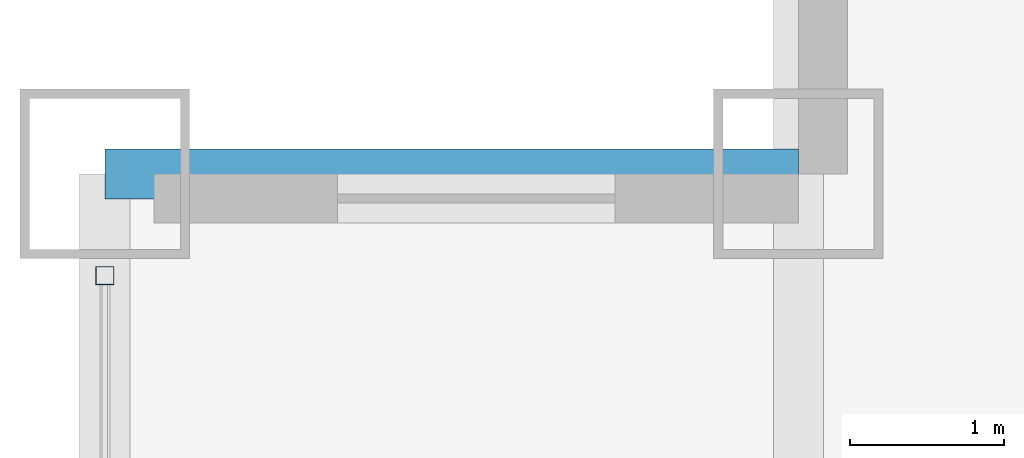
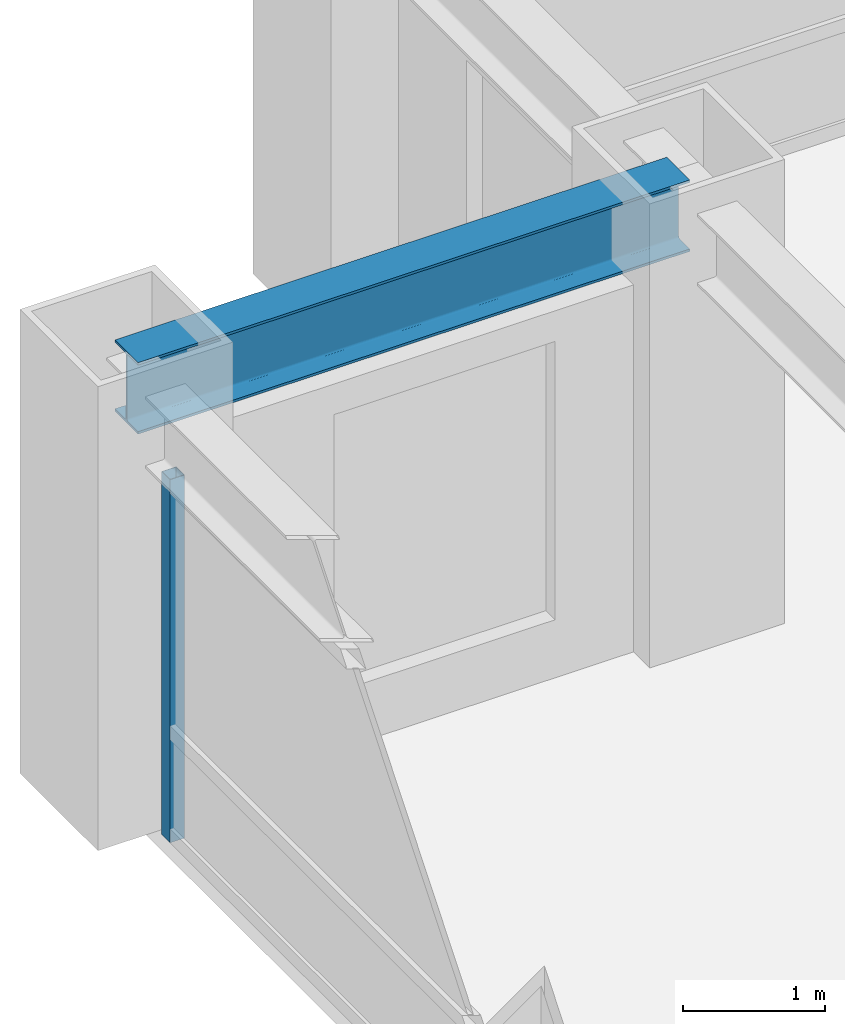
# One storey, part 12 of 25: 1 beam, 1 member, 1 element without a shape of its own.
"""IFC4 building model written with IfcOpenShell, lengths in metres."""

from ifc_helpers import new_model, si_unit, direction, frame, origin, origin_2d, place, context, subcontext, project, spatial, hollow_rectangle, i_section, extrude, source, transform, mapped, material, material_profile, profile_set, type_object, element, aggregate, save


model = new_model("IFC4")

# Units and contexts
model_context = context("Model", 3, precision=1e-05, world=origin(), true_north=direction((0.0, 1.0)))
body_context = subcontext(model_context, "Body", "Model", "MODEL_VIEW")
ifc_project = project(units=[si_unit("LENGTHUNIT", "METRE"), si_unit("AREAUNIT", "SQUARE_METRE"), si_unit("VOLUMEUNIT", "CUBIC_METRE"), si_unit("PLANEANGLEUNIT", "RADIAN"), si_unit("MASSUNIT", "GRAM", prefix="KILO")], contexts=[model_context])

# Site, building, storey
site_placement = place(None, origin())
site = spatial("IfcSite", under=ifc_project, at=site_placement, CompositionType="ELEMENT")
building_placement = place(site_placement, origin())
building = spatial("IfcBuilding", under=site, at=building_placement, Name="Khorayat Bourse Tower", CompositionType="ELEMENT")
storey_placement = place(building_placement, frame((0.0, 0.0, 195.10009765625)))
storey = spatial("IfcBuildingStorey", under=building, at=storey_placement, Name="L45", CompositionType="ELEMENT", Elevation=195.10009765625)

# Beam
ifc_material_1 = material(Name="Steel ASTM A992 Grade 50", Category="steel")
ifc_material_profile_1 = material_profile(ifc_material_1, i_section(OverallWidth=0.324951171875, OverallDepth=0.615966796875, WebThickness=0.013916015625, FlangeThickness=0.021484375, FilletRadius=0.01611328125, at=origin_2d()), Name="W610X174")
ifc_profile_set_1 = profile_set([ifc_material_profile_1], Name="Steel ASTM A992 Grade 50")
beam_type = type_object("IfcBeamType", Name="BM-SPAN-610", PredefinedType="SPANDREL", material=ifc_profile_set_1)
shared_shape_1 = source(origin(), body_context, "Body", "SweptSolid", [
    extrude(i_section(OverallWidth=0.324951171875, OverallDepth=0.615966796875, WebThickness=0.013916015625, FlangeThickness=0.021484375, FilletRadius=0.01611328125, at=origin_2d()), origin(), (0.0, 0.0, 1.0), 4.5),
])
beam_placement = place(storey_placement, frame((-30.0, 25.5, 3.471923828125), z_axis=(1.0, 0.0, 0.0), x_axis=(0.0, 1.0, 0.0)))
element("IfcBeam", 1, at=beam_placement, inside=storey, type_object=beam_type, Name="L45 BM-SPAN-610 BM-L45-SPN-053", PredefinedType="SPANDREL", context=body_context, shape_type="MappedRepresentation", body=[
    mapped(shared_shape_1, transform((0.0, 0.0, 0.0), scale=1.0)),
])

# Curtain wall, member
ifc_material_2 = material(Name="Aluminium EN AW-6063 T6", Category="aluminium")
curtain_wall_type = type_object("IfcCurtainWallType", Name="CW-SYS-03", PredefinedType="NOTDEFINED", material=ifc_material_2)
curtain_wall_placement = place(storey_placement, origin())
curtain_wall = element("IfcCurtainWall", 2, at=curtain_wall_placement, inside=storey, type_object=curtain_wall_type, Name="L45 Curtain Wall CW-L45-W1", PredefinedType="NOTDEFINED")
ifc_material_profile_2 = material_profile(ifc_material_2, hollow_rectangle(XDim=0.1201171875, YDim=0.1201171875, WallThickness=0.0048828125, at=origin_2d()), Name="ALU 120x120x5")
ifc_profile_set_2 = profile_set([ifc_material_profile_2], Name="Aluminium EN AW-6063 T6")
member_type = type_object("IfcMemberType", Name="CWM-VERT-120", PredefinedType="MULLION", material=ifc_profile_set_2)
shared_shape_2 = source(origin(), body_context, "Body", "SweptSolid", [
    extrude(hollow_rectangle(XDim=0.1201171875, YDim=0.1201171875, WallThickness=0.0048828125, at=origin_2d()), origin(), (0.0, 0.0, 1.0), 3.1298828125),
])
member_placement = place(storey_placement, frame((-30.0, 24.840087890625, 0.0), z_axis=(0.0, 0.0, 1.0), x_axis=(-1.0, 0.0, 0.0)))
member = element("IfcMember", 3, at=member_placement, type_object=member_type, Name="CW-L45-W1 Vertical Mullion 3", PredefinedType="MULLION", context=body_context, shape_type="MappedRepresentation", body=[
    mapped(shared_shape_2, transform((0.0, 0.0, 0.0), scale=1.0)),
])
aggregate(curtain_wall, [member])

save(model, "model.ifc")
